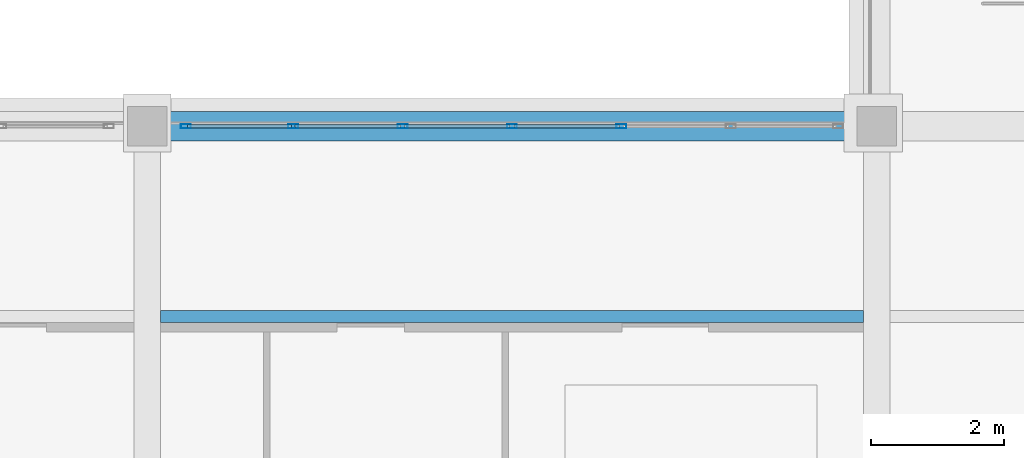
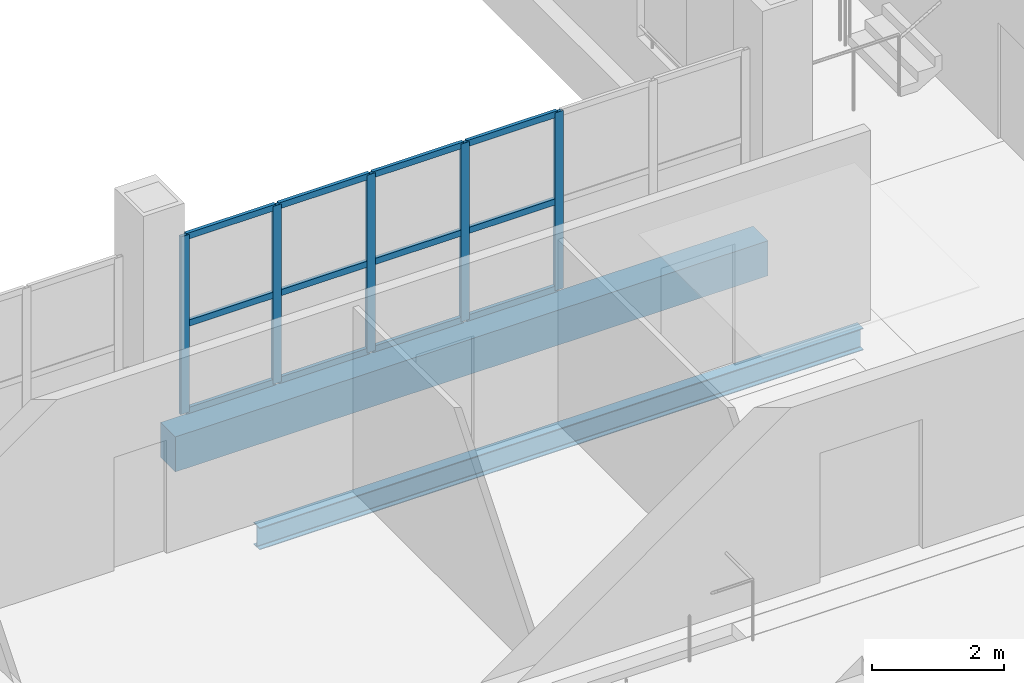
# One storey, part 59 of 120: 17 members, 2 beams, 1 element without a shape of its own.
"""IFC4 building model written with IfcOpenShell, lengths in metres."""

import ifcopenshell
import ifcopenshell.guid

model = None  # the IFC model being written
_history = None  # IfcOwnerHistory: only IFC2X3 demands one
_inside = {}  # id of a spatial element -> (the spatial element, [elements in it])
_under = {}  # id of a project, library or spatial element -> (it, [spatial elements below it])
_declared = {}  # id of a project -> (the project, [libraries it declares])
_typed = {}  # id of a type object -> (the type object, [elements of that type])
_made_of = {}  # id of a material, layer set ... -> (it, [elements and type objects made of it])


def new_model(schema):
    """Start an empty IFC model of exactly this schema.

    Asked for "IFC4X3", IfcOpenShell would pick the latest addendum, in which some entities
    have other attributes; the version numbers below select the first issue.
    IFC2X3 requires an IfcOwnerHistory on every rooted entity: one is made here for all.
    """
    global model, _history
    if schema == "IFC4X3":
        model = ifcopenshell.file(schema_version=(4, 3, 0, 0))
    else:
        model = ifcopenshell.file(schema=schema)
    _inside.clear()
    _under.clear()
    _declared.clear()
    _typed.clear()
    _made_of.clear()
    _history = None
    if model.schema == "IFC2X3":
        org = make("IfcOrganization", Name="unknown")
        user = make(
            "IfcPersonAndOrganization",
            ThePerson=make("IfcPerson", FamilyName="unknown"),
            TheOrganization=org,
        )
        app = make(
            "IfcApplication",
            ApplicationDeveloper=org,
            Version="unknown",
            ApplicationFullName="unknown",
            ApplicationIdentifier="unknown",
        )
        _history = make(
            "IfcOwnerHistory",
            OwningUser=user,
            OwningApplication=app,
            ChangeAction="ADDED",
            CreationDate=0,
        )
    return model


def make(cls, **values):
    """One entity of the class cls with the attributes given. An attribute that is None is left unset."""
    return model.create_entity(
        cls, **{name: value for name, value in values.items() if value is not None}
    )


def rooted(cls, **values):
    """An entity with a GlobalId (a new one), such as an element, a storey or a relation."""
    return make(cls, GlobalId=ifcopenshell.guid.new(), OwnerHistory=_history, **values)


def si_unit(unit_type, name, prefix=None):
    """IfcSIUnit, for example si_unit("LENGTHUNIT", "METRE", prefix="MILLI")."""
    return make("IfcSIUnit", UnitType=unit_type, Prefix=prefix, Name=name)


def assignment(units):
    """IfcUnitAssignment: the units of a project."""
    return None if units is None else make("IfcUnitAssignment", Units=units)


def point(xyz):
    """IfcCartesianPoint."""
    return None if xyz is None else make("IfcCartesianPoint", Coordinates=xyz)


def direction(xyz):
    """IfcDirection."""
    return None if xyz is None else make("IfcDirection", DirectionRatios=xyz)


def frame(location, z_axis=None, x_axis=None):
    """IfcAxis2Placement3D, a coordinate frame: its origin and axes. An axis left out is left unset."""
    return make(
        "IfcAxis2Placement3D",
        Location=point(location),
        Axis=direction(z_axis),
        RefDirection=direction(x_axis),
    )


def frame_2d(location, x_axis=None):
    """IfcAxis2Placement2D, a coordinate frame in the plane: its origin and x axis."""
    return make(
        "IfcAxis2Placement2D", Location=point(location), RefDirection=direction(x_axis)
    )


def origin():
    """The frame at (0, 0, 0) with its axes left unset."""
    return frame((0.0, 0.0, 0.0))


def origin_2d():
    """The frame at (0, 0) in the plane with its x axis left unset."""
    return frame_2d((0.0, 0.0))


def place(relative_to, where):
    """IfcLocalPlacement: puts the frame where relative to a parent placement (None: the world)."""
    return make(
        "IfcLocalPlacement", PlacementRelTo=relative_to, RelativePlacement=where
    )


def context(
    kind, dimensions, precision=None, world=None, true_north=None, identifier=None
):
    """IfcGeometricRepresentationContext, for example the 3D "Model" context."""
    return make(
        "IfcGeometricRepresentationContext",
        ContextIdentifier=identifier,
        ContextType=kind,
        CoordinateSpaceDimension=dimensions,
        Precision=precision,
        WorldCoordinateSystem=world,
        TrueNorth=true_north,
    )


def subcontext(parent, identifier, kind, view, scale=None):
    """IfcGeometricRepresentationSubContext, for example "Body" below "Model"."""
    return make(
        "IfcGeometricRepresentationSubContext",
        ContextIdentifier=identifier,
        ContextType=kind,
        ParentContext=parent,
        TargetScale=scale,
        TargetView=view,
    )


def project(units=None, contexts=None):
    """IfcProject with its units and contexts."""
    return rooted(
        "IfcProject",
        Name="project",
        RepresentationContexts=contexts,
        UnitsInContext=assignment(units),
    )


def spatial(cls, under=None, at=None, **own):
    """A site, building, storey or space (cls), placed at a placement, below another one or the project."""
    s = rooted(cls, ObjectPlacement=at, **own)
    if under is not None:
        _under.setdefault(under.id(), (under, []))[1].append(s)
    return s


def profile(cls, at=None, kind="AREA", **sizes):
    """A parametric profile (cls). Its sizes go by their IFC names, for example OverallWidth=200.0."""
    return make(cls, ProfileType=kind, Position=at, **sizes)


def rectangle(**sizes):
    """IfcRectangleProfileDef."""
    return profile("IfcRectangleProfileDef", **sizes)


def hollow_rectangle(**sizes):
    """IfcRectangleHollowProfileDef."""
    return profile("IfcRectangleHollowProfileDef", **sizes)


def i_section(**sizes):
    """IfcIShapeProfileDef."""
    return profile("IfcIShapeProfileDef", **sizes)


def extrude(swept, where, along, depth):
    """IfcExtrudedAreaSolid: the profile swept, set in the frame where, extruded along a direction by depth."""
    return make(
        "IfcExtrudedAreaSolid",
        SweptArea=swept,
        Position=where,
        ExtrudedDirection=direction(along),
        Depth=depth,
    )


def shape(context_of_items, identifier, shape_type, items):
    """IfcShapeRepresentation: the items that make up one representation, for example the "Body"."""
    return make(
        "IfcShapeRepresentation",
        ContextOfItems=context_of_items,
        RepresentationIdentifier=identifier,
        RepresentationType=shape_type,
        Items=items,
    )


def material(Name=None, Category=None):
    """IfcMaterial."""
    return make("IfcMaterial", Name=Name, Category=Category)


def material_profile(
    of_material, cross_section, Name=None, Category=None, Priority=None
):
    """IfcMaterialProfile: a cross section and its material."""
    return make(
        "IfcMaterialProfile",
        Name=Name,
        Material=of_material,
        Profile=cross_section,
        Priority=Priority,
        Category=Category,
    )


def profile_set(profiles, Name=None, composite=None):
    """IfcMaterialProfileSet."""
    return make(
        "IfcMaterialProfileSet",
        Name=Name,
        MaterialProfiles=profiles,
        CompositeProfile=composite,
    )


def made_of(thing, what):
    """Note that an element or type object is made of a material, layer set ...; save() writes the relation."""
    if what is not None:
        _made_of.setdefault(what.id(), (what, []))[1].append(thing)
    return thing


def type_object(cls, material=None, **own):
    """A type object (cls), such as IfcWallType, which elements share."""
    return made_of(rooted(cls, **own), material)


def element(
    cls,
    number,
    at=None,
    inside=None,
    cuts=None,
    type_object=None,
    material=None,
    context=None,
    identifier="Body",
    shape_type=None,
    held_by="IfcProductDefinitionShape",
    body=None,
    shapes=None,
    **own,
):
    """One element of the class cls, such as IfcWall. Its Tag is "e" and its number.

    at: its placement. inside: the storey or other place that contains it. cuts: it is an
    opening in that element (IfcRelVoidsElement). A single representation is given by context,
    identifier, shape_type and body (its items); several are given by shapes. held_by: the class
    of the entity that holds the representations. save() writes the other relations.
    """
    e = rooted(cls, Tag="e%d" % number, ObjectPlacement=at, **own)
    if body is not None:
        shapes = [shape(context, identifier, shape_type, body)]
    if shapes is not None:
        e.Representation = make(held_by, Representations=shapes)
    if inside is not None:
        _inside.setdefault(inside.id(), (inside, []))[1].append(e)
    if cuts is not None:
        rooted(
            "IfcRelVoidsElement", RelatingBuildingElement=cuts, RelatedOpeningElement=e
        )
    if type_object is not None:
        _typed.setdefault(type_object.id(), (type_object, []))[1].append(e)
    return made_of(e, material)


def aggregate(whole, parts):
    """IfcRelAggregates: a whole, such as a stair, and the parts it consists of."""
    return rooted("IfcRelAggregates", RelatingObject=whole, RelatedObjects=parts)


def save(model, path):
    """Write the relations noted so far, then the file.

    IfcRelAggregates (storeys below a building ...), IfcRelContainedInSpatialStructure (elements
    in a storey), IfcRelDefinesByType, IfcRelAssociatesMaterial and IfcRelDeclares: one each for
    every whole, place, type object, material and project.
    """
    for whole, parts in _under.values():
        aggregate(whole, parts)
    for where, things in _inside.values():
        rooted(
            "IfcRelContainedInSpatialStructure",
            RelatedElements=things,
            RelatingStructure=where,
        )
    for kind, things in _typed.values():
        rooted("IfcRelDefinesByType", RelatedObjects=things, RelatingType=kind)
    for what, things in _made_of.values():
        rooted("IfcRelAssociatesMaterial", RelatedObjects=things, RelatingMaterial=what)
    for by, libraries in _declared.values():
        rooted("IfcRelDeclares", RelatingContext=by, RelatedDefinitions=libraries)
    model.write(path)


model = new_model("IFC4")

# Units and contexts
model_context = context("Model", 3, precision=1e-05, world=origin(), true_north=direction((0.0, 1.0)))
body_context = subcontext(model_context, "Body", "Model", "MODEL_VIEW")
ifc_project = project(units=[si_unit("LENGTHUNIT", "METRE"), si_unit("AREAUNIT", "SQUARE_METRE"), si_unit("VOLUMEUNIT", "CUBIC_METRE"), si_unit("PLANEANGLEUNIT", "RADIAN"), si_unit("MASSUNIT", "GRAM", prefix="KILO")], contexts=[model_context])

# Site, building, storey
site_placement = place(None, origin())
site = spatial("IfcSite", under=ifc_project, at=site_placement, CompositionType="ELEMENT")
building_placement = place(site_placement, origin())
building = spatial("IfcBuilding", under=site, at=building_placement, Name="Caurita Quay Ferry Terminal", CompositionType="ELEMENT")
storey_placement = place(building_placement, frame((0.0, 0.0, 9.89990234375)))
storey = spatial("IfcBuildingStorey", under=building, at=storey_placement, Name="L02", CompositionType="ELEMENT", Elevation=9.89990234375)

# Beams
ifc_material_1 = material(Name="Structural steel ASTM A992 Gr. 50", Category="steel")
ifc_material_profile_1 = material_profile(ifc_material_1, i_section(OverallWidth=0.1787109375, OverallDepth=0.408935546875, WebThickness=0.0087890625, FlangeThickness=0.014404296875, FilletRadius=0.011474609375, at=origin_2d()), Name="W16X45")
ifc_profile_set_1 = profile_set([ifc_material_profile_1], Name="Structural steel ASTM A992 Gr. 50")
beam_type_1 = type_object("IfcBeamType", Name="BM-JS-W16A", PredefinedType="JOIST", material=ifc_profile_set_1)
beam_1_placement = place(storey_placement, frame((55.199951171875, 77.333251953125, -0.42431640625), z_axis=(1.0, 0.0, 0.0), x_axis=(0.0, 1.0, 0.0)))
element("IfcBeam", 1, at=beam_1_placement, inside=storey, type_object=beam_type_1, Name="L02 Beam JS-V5-L02-038", PredefinedType="JOIST", context=body_context, shape_type="SweptSolid", body=[
    extrude(i_section(OverallWidth=0.1787109375, OverallDepth=0.408935546875, WebThickness=0.0087890625, FlangeThickness=0.014404296875, FilletRadius=0.011474609375, at=origin_2d()), origin(), (0.0, 0.0, 1.0), 10.60009765625),
])
ifc_material_2 = material(Name="Reinforced concrete C35/45", Category="concrete")
ifc_material_profile_2 = material_profile(ifc_material_2, rectangle(XDim=0.449951171875, YDim=0.64990234375, at=origin_2d()), Name="RC-BM-450X650")
ifc_profile_set_2 = profile_set([ifc_material_profile_2], Name="Reinforced concrete C35/45")
beam_type_2 = type_object("IfcBeamType", Name="BM-RC-4565", PredefinedType="BEAM", material=ifc_profile_set_2)
beam_2_placement = place(storey_placement, frame((55.297607421875, 80.199951171875, -0.544921875), z_axis=(1.0, 0.0, 0.0), x_axis=(0.0, 1.0, 0.0)))
element("IfcBeam", 2, at=beam_2_placement, inside=storey, type_object=beam_type_2, Name="L02 Beam BM-V5-L02-X-553-802", PredefinedType="BEAM", context=body_context, shape_type="SweptSolid", body=[
    extrude(rectangle(XDim=0.449951171875, YDim=0.64990234375, at=origin_2d()), origin(), (0.0, 0.0, 1.0), 10.40478515625),
])

# Curtain wall, members
ifc_material_3 = material(Name="Laminated solar-control insulated glass", Category="glass")
curtain_wall_type = type_object("IfcCurtainWallType", Name="CW-SYS-24", PredefinedType="NOTDEFINED", material=ifc_material_3)
curtain_wall_placement = place(storey_placement, origin())
curtain_wall = element("IfcCurtainWall", 3, at=curtain_wall_placement, inside=storey, type_object=curtain_wall_type, Name="L02 Courtyard Cloister Storefront 167", PredefinedType="NOTDEFINED")
ifc_material_4 = material(Name="Anodized aluminium 6063-T6", Category="aluminium")
ifc_material_profile_3 = material_profile(ifc_material_4, hollow_rectangle(XDim=0.06005859375, YDim=0.14990234375, WallThickness=0.00341796875, at=origin_2d()), Name="ALU-MUL-60X150")
ifc_profile_set_3 = profile_set([ifc_material_profile_3], Name="Anodized aluminium 6063-T6")
member_type_1 = type_object("IfcMemberType", Name="CW-MUL-150", PredefinedType="MULLION", material=ifc_profile_set_3)
member_1_placement = place(storey_placement, frame((55.580078125, 80.199951171875, 0.0), z_axis=(0.0, 0.0, 1.0), x_axis=(0.0, 1.0, 0.0)))
member_1 = element("IfcMember", 4, at=member_1_placement, type_object=member_type_1, Name="CW-CRT-167 Mullion 1", PredefinedType="MULLION", context=body_context, shape_type="SweptSolid", body=[
    extrude(hollow_rectangle(XDim=0.06005859375, YDim=0.14990234375, WallThickness=0.00341796875, at=origin_2d()), origin(), (0.0, 0.0, 1.0), 3.300048828125),
])
member_2_placement = place(storey_placement, frame((57.199951171875, 80.199951171875, 0.0), z_axis=(0.0, 0.0, 1.0), x_axis=(0.0, 1.0, 0.0)))
member_2 = element("IfcMember", 5, at=member_2_placement, type_object=member_type_1, Name="CW-CRT-167 Mullion 2", PredefinedType="MULLION", context=body_context, shape_type="SweptSolid", body=[
    extrude(hollow_rectangle(XDim=0.06005859375, YDim=0.14990234375, WallThickness=0.00341796875, at=origin_2d()), origin(), (0.0, 0.0, 1.0), 3.300048828125),
])
member_3_placement = place(storey_placement, frame((58.85009765625, 80.199951171875, 0.0), z_axis=(0.0, 0.0, 1.0), x_axis=(0.0, 1.0, 0.0)))
member_3 = element("IfcMember", 6, at=member_3_placement, type_object=member_type_1, Name="CW-CRT-167 Mullion 3", PredefinedType="MULLION", context=body_context, shape_type="SweptSolid", body=[
    extrude(hollow_rectangle(XDim=0.06005859375, YDim=0.14990234375, WallThickness=0.00341796875, at=origin_2d()), origin(), (0.0, 0.0, 1.0), 3.300048828125),
])
member_4_placement = place(storey_placement, frame((60.5, 80.199951171875, 0.0), z_axis=(0.0, 0.0, 1.0), x_axis=(0.0, 1.0, 0.0)))
member_4 = element("IfcMember", 7, at=member_4_placement, type_object=member_type_1, Name="CW-CRT-167 Mullion 4", PredefinedType="MULLION", context=body_context, shape_type="SweptSolid", body=[
    extrude(hollow_rectangle(XDim=0.06005859375, YDim=0.14990234375, WallThickness=0.00341796875, at=origin_2d()), origin(), (0.0, 0.0, 1.0), 3.300048828125),
])
member_5_placement = place(storey_placement, frame((62.14990234375, 80.199951171875, 0.0), z_axis=(0.0, 0.0, 1.0), x_axis=(0.0, 1.0, 0.0)))
member_5 = element("IfcMember", 8, at=member_5_placement, type_object=member_type_1, Name="CW-CRT-167 Mullion 5", PredefinedType="MULLION", context=body_context, shape_type="SweptSolid", body=[
    extrude(hollow_rectangle(XDim=0.06005859375, YDim=0.14990234375, WallThickness=0.00341796875, at=origin_2d()), origin(), (0.0, 0.0, 1.0), 3.300048828125),
])
ifc_material_profile_4 = material_profile(ifc_material_4, hollow_rectangle(XDim=0.06005859375, YDim=0.114990234375, WallThickness=0.00341796875, at=origin_2d()), Name="ALU-TRN-60X115")
ifc_profile_set_4 = profile_set([ifc_material_profile_4], Name="Anodized aluminium 6063-T6")
member_type_2 = type_object("IfcMemberType", Name="CW-TRN-115", PredefinedType="USERDEFINED", material=ifc_profile_set_4)
member_6_placement = place(storey_placement, frame((55.60791015625, 80.199951171875, 0.030029296875), z_axis=(1.0, 0.0, 0.0), x_axis=(0.0, 1.0, 0.0)))
member_6 = element("IfcMember", 9, at=member_6_placement, type_object=member_type_2, Name="CW-CRT-167 Transom 1", ObjectType="TRANSOM", PredefinedType="USERDEFINED", context=body_context, shape_type="SweptSolid", body=[
    extrude(hollow_rectangle(XDim=0.06005859375, YDim=0.114990234375, WallThickness=0.00341796875, at=origin_2d()), origin(), (0.0, 0.0, 1.0), 1.564208984375),
])
member_7_placement = place(storey_placement, frame((55.60791015625, 80.199951171875, 1.650146484375), z_axis=(1.0, 0.0, 0.0), x_axis=(0.0, 1.0, 0.0)))
member_7 = element("IfcMember", 10, at=member_7_placement, type_object=member_type_2, Name="CW-CRT-167 Transom 2", ObjectType="TRANSOM", PredefinedType="USERDEFINED", context=body_context, shape_type="SweptSolid", body=[
    extrude(hollow_rectangle(XDim=0.06005859375, YDim=0.114990234375, WallThickness=0.00341796875, at=origin_2d()), origin(), (0.0, 0.0, 1.0), 1.564208984375),
])
member_8_placement = place(storey_placement, frame((55.60791015625, 80.199951171875, 3.27001953125), z_axis=(1.0, 0.0, 0.0), x_axis=(0.0, 1.0, 0.0)))
member_8 = element("IfcMember", 11, at=member_8_placement, type_object=member_type_2, Name="CW-CRT-167 Transom 3", ObjectType="TRANSOM", PredefinedType="USERDEFINED", context=body_context, shape_type="SweptSolid", body=[
    extrude(hollow_rectangle(XDim=0.06005859375, YDim=0.114990234375, WallThickness=0.00341796875, at=origin_2d()), origin(), (0.0, 0.0, 1.0), 1.564208984375),
])
member_9_placement = place(storey_placement, frame((57.22802734375, 80.199951171875, 0.030029296875), z_axis=(1.0, 0.0, 0.0), x_axis=(0.0, 1.0, 0.0)))
member_9 = element("IfcMember", 12, at=member_9_placement, type_object=member_type_2, Name="CW-CRT-167 Transom 4", ObjectType="TRANSOM", PredefinedType="USERDEFINED", context=body_context, shape_type="SweptSolid", body=[
    extrude(hollow_rectangle(XDim=0.06005859375, YDim=0.114990234375, WallThickness=0.00341796875, at=origin_2d()), origin(), (0.0, 0.0, 1.0), 1.593994140625),
])
member_10_placement = place(storey_placement, frame((57.22802734375, 80.199951171875, 1.650146484375), z_axis=(1.0, 0.0, 0.0), x_axis=(0.0, 1.0, 0.0)))
member_10 = element("IfcMember", 13, at=member_10_placement, type_object=member_type_2, Name="CW-CRT-167 Transom 5", ObjectType="TRANSOM", PredefinedType="USERDEFINED", context=body_context, shape_type="SweptSolid", body=[
    extrude(hollow_rectangle(XDim=0.06005859375, YDim=0.114990234375, WallThickness=0.00341796875, at=origin_2d()), origin(), (0.0, 0.0, 1.0), 1.593994140625),
])
member_11_placement = place(storey_placement, frame((57.22802734375, 80.199951171875, 3.27001953125), z_axis=(1.0, 0.0, 0.0), x_axis=(0.0, 1.0, 0.0)))
member_11 = element("IfcMember", 14, at=member_11_placement, type_object=member_type_2, Name="CW-CRT-167 Transom 6", ObjectType="TRANSOM", PredefinedType="USERDEFINED", context=body_context, shape_type="SweptSolid", body=[
    extrude(hollow_rectangle(XDim=0.06005859375, YDim=0.114990234375, WallThickness=0.00341796875, at=origin_2d()), origin(), (0.0, 0.0, 1.0), 1.593994140625),
])
member_12_placement = place(storey_placement, frame((58.8779296875, 80.199951171875, 0.030029296875), z_axis=(1.0, 0.0, 0.0), x_axis=(0.0, 1.0, 0.0)))
member_12 = element("IfcMember", 15, at=member_12_placement, type_object=member_type_2, Name="CW-CRT-167 Transom 7", ObjectType="TRANSOM", PredefinedType="USERDEFINED", context=body_context, shape_type="SweptSolid", body=[
    extrude(hollow_rectangle(XDim=0.06005859375, YDim=0.114990234375, WallThickness=0.00341796875, at=origin_2d()), origin(), (0.0, 0.0, 1.0), 1.593994140625),
])
member_13_placement = place(storey_placement, frame((58.8779296875, 80.199951171875, 1.650146484375), z_axis=(1.0, 0.0, 0.0), x_axis=(0.0, 1.0, 0.0)))
member_13 = element("IfcMember", 16, at=member_13_placement, type_object=member_type_2, Name="CW-CRT-167 Transom 8", ObjectType="TRANSOM", PredefinedType="USERDEFINED", context=body_context, shape_type="SweptSolid", body=[
    extrude(hollow_rectangle(XDim=0.06005859375, YDim=0.114990234375, WallThickness=0.00341796875, at=origin_2d()), origin(), (0.0, 0.0, 1.0), 1.593994140625),
])
member_14_placement = place(storey_placement, frame((58.8779296875, 80.199951171875, 3.27001953125), z_axis=(1.0, 0.0, 0.0), x_axis=(0.0, 1.0, 0.0)))
member_14 = element("IfcMember", 17, at=member_14_placement, type_object=member_type_2, Name="CW-CRT-167 Transom 9", ObjectType="TRANSOM", PredefinedType="USERDEFINED", context=body_context, shape_type="SweptSolid", body=[
    extrude(hollow_rectangle(XDim=0.06005859375, YDim=0.114990234375, WallThickness=0.00341796875, at=origin_2d()), origin(), (0.0, 0.0, 1.0), 1.593994140625),
])
member_15_placement = place(storey_placement, frame((60.528076171875, 80.199951171875, 0.030029296875), z_axis=(1.0, 0.0, 0.0), x_axis=(0.0, 1.0, 0.0)))
member_15 = element("IfcMember", 18, at=member_15_placement, type_object=member_type_2, Name="CW-CRT-167 Transom 10", ObjectType="TRANSOM", PredefinedType="USERDEFINED", context=body_context, shape_type="SweptSolid", body=[
    extrude(hollow_rectangle(XDim=0.06005859375, YDim=0.114990234375, WallThickness=0.00341796875, at=origin_2d()), origin(), (0.0, 0.0, 1.0), 1.593994140625),
])
member_16_placement = place(storey_placement, frame((60.528076171875, 80.199951171875, 1.650146484375), z_axis=(1.0, 0.0, 0.0), x_axis=(0.0, 1.0, 0.0)))
member_16 = element("IfcMember", 19, at=member_16_placement, type_object=member_type_2, Name="CW-CRT-167 Transom 11", ObjectType="TRANSOM", PredefinedType="USERDEFINED", context=body_context, shape_type="SweptSolid", body=[
    extrude(hollow_rectangle(XDim=0.06005859375, YDim=0.114990234375, WallThickness=0.00341796875, at=origin_2d()), origin(), (0.0, 0.0, 1.0), 1.593994140625),
])
member_17_placement = place(storey_placement, frame((60.528076171875, 80.199951171875, 3.27001953125), z_axis=(1.0, 0.0, 0.0), x_axis=(0.0, 1.0, 0.0)))
member_17 = element("IfcMember", 20, at=member_17_placement, type_object=member_type_2, Name="CW-CRT-167 Transom 12", ObjectType="TRANSOM", PredefinedType="USERDEFINED", context=body_context, shape_type="SweptSolid", body=[
    extrude(hollow_rectangle(XDim=0.06005859375, YDim=0.114990234375, WallThickness=0.00341796875, at=origin_2d()), origin(), (0.0, 0.0, 1.0), 1.593994140625),
])
aggregate(curtain_wall, [member_1, member_2, member_3, member_4, member_5, member_6, member_7, member_8, member_9, member_10, member_11, member_12, member_13, member_14, member_15, member_16, member_17])

save(model, "model.ifc")
